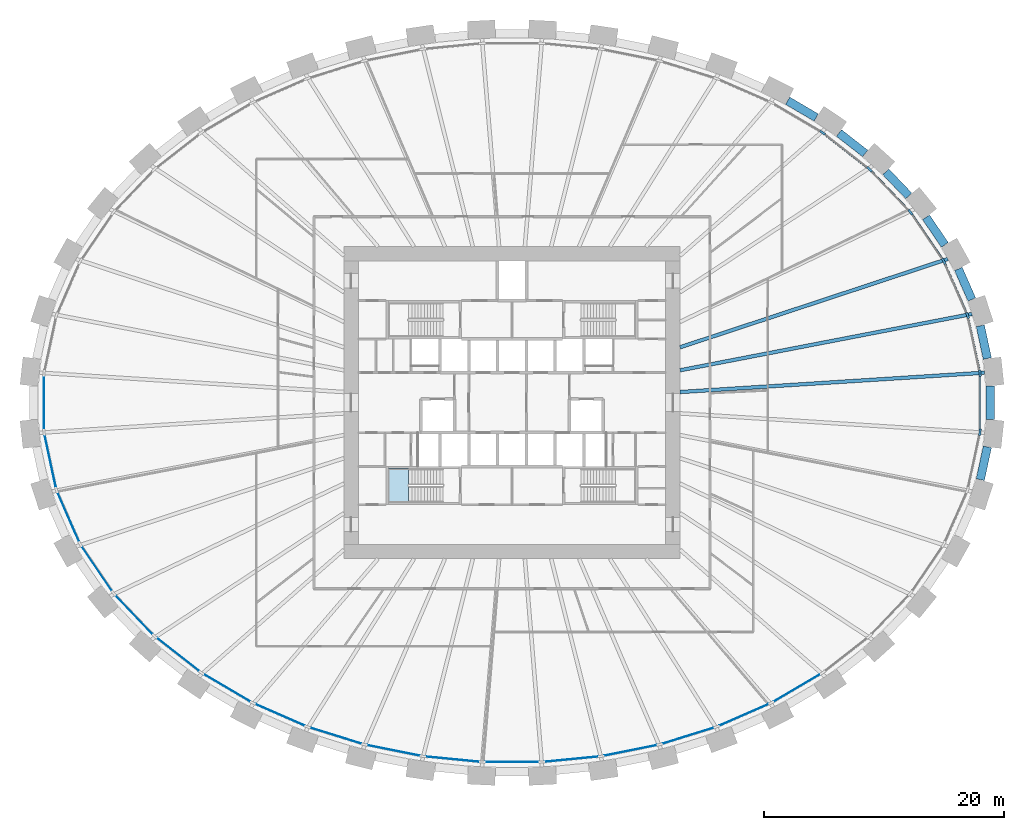
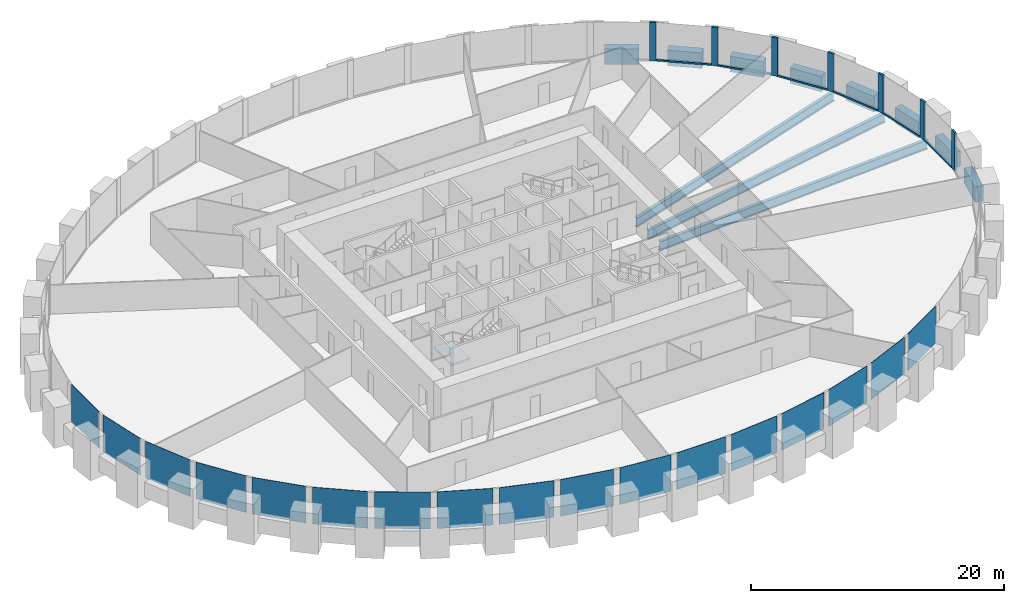
# One storey, part 4 of 11: 17 plates, 13 members, 11 beams, 1 slab, 2 elements without a shape of their own.
"""IFC4 building model written with IfcOpenShell, lengths in metres."""

from ifc_helpers import new_model, si_unit, direction, frame, origin, origin_2d, place, context, subcontext, project, spatial, polyline, rectangle, i_section, outline, extrude, source, transform, mapped, material, layer, layer_set, material_profile, profile_set, type_object, element, aggregate, save


model = new_model("IFC4")

# Units and contexts
model_context = context("Model", 3, precision=1e-05, world=origin(), true_north=direction((0.0, 1.0)))
body_context = subcontext(model_context, "Body", "Model", "MODEL_VIEW")
ifc_project = project(units=[si_unit("LENGTHUNIT", "METRE"), si_unit("AREAUNIT", "SQUARE_METRE"), si_unit("VOLUMEUNIT", "CUBIC_METRE"), si_unit("PLANEANGLEUNIT", "RADIAN"), si_unit("MASSUNIT", "GRAM", prefix="KILO")], contexts=[model_context])

# Site, building, storey
site_placement = place(None, origin())
site = spatial("IfcSite", under=ifc_project, at=site_placement, CompositionType="ELEMENT")
building_placement = place(site_placement, origin())
building = spatial("IfcBuilding", under=site, at=building_placement, Name="Embergate Tower", CompositionType="ELEMENT")
storey_placement = place(building_placement, frame((0.0, 0.0, 109.39990234375)))
storey = spatial("IfcBuildingStorey", under=building, at=storey_placement, Name="L23", CompositionType="ELEMENT", Elevation=109.39990234375)

# Beams
ifc_material_1 = material(Name="Concrete C70", Category="concrete")
ifc_material_profile_1 = material_profile(ifc_material_1, rectangle(XDim=0.699951171875, YDim=1.5, at=origin_2d()), Name="RC 700x1500")
ifc_profile_set_1 = profile_set([ifc_material_profile_1], Name="Concrete C70")
beam_type_1 = type_object("IfcBeamType", Name="Spandrel beam RC 700x1500 C70", PredefinedType="BEAM", material=ifc_profile_set_1)
shared_shape_1 = source(origin(), body_context, "Body", "SweptSolid", [
    extrude(rectangle(XDim=0.699951171875, YDim=1.5, at=origin_2d()), origin(), (0.0, 0.0, 1.0), 2.789306640625),
])
for number, where, z_axis, x_axis, name in (
    (1, (39.60693359375, 3.68310546875, 0.0), (-0.210419662527, 0.977611152566, 0.0), (-0.977611152566, -0.210419662527, 0.0), "SPN-L23-00"),
    (2, (39.02001953125, -6.409912109375, 0.0), (0.210419662527, 0.977611152566, 0.0), (-0.977611152566, 0.210419662527, 0.0), "SPN-L23-42"),
):
    element("IfcBeam", number, at=place(storey_placement, frame(where, z_axis=z_axis, x_axis=x_axis)), inside=storey, type_object=beam_type_1, Name=name, PredefinedType="BEAM", context=body_context, shape_type="MappedRepresentation", body=[
        mapped(shared_shape_1, transform((0.0, 0.0, 0.0))),
    ])
shared_shape_2 = source(origin(), body_context, "Body", "SweptSolid", [
    extrude(rectangle(XDim=0.699951171875, YDim=1.5, at=origin_2d()), origin(), (0.0, 0.0, 1.0), 2.78564453125),
])
beam_1_placement = place(storey_placement, frame((38.31201171875, 8.597900390625, 0.0), z_axis=(-0.401669232295, 0.915784815242, 0.0), x_axis=(-0.915784815242, -0.401669232295, 0.0)))
element("IfcBeam", 3, at=beam_1_placement, inside=storey, type_object=beam_type_1, Name="SPN-L23-01", PredefinedType="BEAM", context=body_context, shape_type="MappedRepresentation", body=[
    mapped(shared_shape_2, transform((0.0, 0.0, 0.0))),
])
shared_shape_3 = source(origin(), body_context, "Body", "SweptSolid", [
    extrude(rectangle(XDim=0.699951171875, YDim=1.5, at=origin_2d()), origin(), (0.0, 0.0, 1.0), 2.775634765625),
])
beam_2_placement = place(storey_placement, frame((36.06201171875, 13.152099609375, 0.0), z_axis=(-0.562430313872, 0.826844690397, 0.0), x_axis=(-0.826844690397, -0.562430313872, 0.0)))
element("IfcBeam", 4, at=beam_2_placement, inside=storey, type_object=beam_type_1, Name="SPN-L23-02", PredefinedType="BEAM", context=body_context, shape_type="MappedRepresentation", body=[
    mapped(shared_shape_3, transform((0.0, 0.0, 0.0))),
])
shared_shape_4 = source(origin(), body_context, "Body", "SweptSolid", [
    extrude(rectangle(XDim=0.699951171875, YDim=1.5, at=origin_2d()), origin(), (0.0, 0.0, 1.0), 2.770263671875),
])
beam_3_placement = place(storey_placement, frame((33.055908203125, 17.237060546875, 0.0), z_axis=(-0.690119345663, 0.723695577395, 0.0), x_axis=(-0.723695577395, -0.690119345663, 0.0)))
element("IfcBeam", 5, at=beam_3_placement, inside=storey, type_object=beam_type_1, Name="SPN-L23-03", PredefinedType="BEAM", context=body_context, shape_type="MappedRepresentation", body=[
    mapped(shared_shape_4, transform((0.0, 0.0, 0.0))),
])
shared_shape_5 = source(origin(), body_context, "Body", "SweptSolid", [
    extrude(rectangle(XDim=0.699951171875, YDim=1.5, at=origin_2d()), origin(), (0.0, 0.0, 1.0), 2.762939453125),
])
beam_4_placement = place(storey_placement, frame((29.426025390625, 20.77099609375, 0.0), z_axis=(-0.788304284462, 0.615285588242, 0.0), x_axis=(-0.615285588242, -0.788304284462, 0.0)))
element("IfcBeam", 6, at=beam_4_placement, inside=storey, type_object=beam_type_1, Name="SPN-L23-04", PredefinedType="BEAM", context=body_context, shape_type="MappedRepresentation", body=[
    mapped(shared_shape_5, transform((0.0, 0.0, 0.0))),
])
shared_shape_6 = source(origin(), body_context, "Body", "SweptSolid", [
    extrude(rectangle(XDim=0.699951171875, YDim=1.5, at=origin_2d()), origin(), (0.0, 0.0, 1.0), 2.758544921875),
])
beam_5_placement = place(storey_placement, frame((25.345947265625, 23.763916015625, 0.0), z_axis=(-0.862027482261, 0.506861539108, 0.0), x_axis=(-0.506861539108, -0.862027482261, 0.0)))
element("IfcBeam", 7, at=beam_5_placement, inside=storey, type_object=beam_type_1, Name="SPN-L23-05", PredefinedType="BEAM", context=body_context, shape_type="MappedRepresentation", body=[
    mapped(shared_shape_6, transform((0.0, 0.0, 0.0))),
])
shared_shape_7 = source(origin(), body_context, "Body", "SweptSolid", [
    extrude(rectangle(XDim=0.699951171875, YDim=1.5, at=origin_2d()), origin(), (0.0, 0.0, 1.0), 2.7919921875),
])
beam_6_placement = place(storey_placement, frame((39.85009765625, -1.39599609375, 0.0), z_axis=(0.0, 1.0, 0.0), x_axis=(-1.0, 0.0, 0.0)))
element("IfcBeam", 8, at=beam_6_placement, inside=storey, type_object=beam_type_1, Name="SPN-L23-43", PredefinedType="BEAM", context=body_context, shape_type="MappedRepresentation", body=[
    mapped(shared_shape_7, transform((0.0, 0.0, 0.0))),
])
ifc_material_2 = material(Name="Steel Q355B", Category="steel")
ifc_material_profile_2 = material_profile(ifc_material_2, i_section(OverallWidth=0.300048828125, OverallDepth=0.89990234375, WebThickness=0.01611328125, FlangeThickness=0.028076171875, FilletRadius=0.028076171875, at=origin_2d()), Name="HN 900x300x16x28")
ifc_profile_set_2 = profile_set([ifc_material_profile_2], Name="Steel Q355 grade B")
beam_type_2 = type_object("IfcBeamType", Name="Radial girder HN 900x300x16x28", PredefinedType="BEAM", material=ifc_profile_set_2)
shared_shape_8 = source(origin(), body_context, "Body", "SweptSolid", [
    extrude(i_section(OverallWidth=0.300048828125, OverallDepth=0.89990234375, WebThickness=0.01611328125, FlangeThickness=0.028076171875, FilletRadius=0.028076171875, at=origin_2d()), origin(), (0.0, 0.0, 1.0), 25.43115234375),
])
beam_7_placement = place(storey_placement, frame((39.3798828125, 2.501953125, -0.64990234375), z_axis=(-0.997986432318, -0.063427761344, 0.0), x_axis=(0.063427761344, -0.997986432318, 0.0)))
element("IfcBeam", 9, at=beam_7_placement, inside=storey, type_object=beam_type_2, Name="GIR-L23-00", PredefinedType="BEAM", context=body_context, shape_type="MappedRepresentation", body=[
    mapped(shared_shape_8, transform((0.0, 0.0, 0.0))),
])
shared_shape_9 = source(origin(), body_context, "Body", "SweptSolid", [
    extrude(i_section(OverallWidth=0.300048828125, OverallDepth=0.89990234375, WebThickness=0.01611328125, FlangeThickness=0.028076171875, FilletRadius=0.028076171875, at=origin_2d()), origin(), (0.0, 0.0, 1.0), 24.775390625),
])
beam_8_placement = place(storey_placement, frame((38.326904296875, 7.39404296875, -0.64990234375), z_axis=(-0.981895013442, -0.189425929, 0.0), x_axis=(0.189425929, -0.981895013442, 0.0)))
element("IfcBeam", 10, at=beam_8_placement, inside=storey, type_object=beam_type_2, Name="GIR-L23-01", PredefinedType="BEAM", context=body_context, shape_type="MappedRepresentation", body=[
    mapped(shared_shape_9, transform((0.0, 0.0, 0.0))),
])
shared_shape_10 = source(origin(), body_context, "Body", "SweptSolid", [
    extrude(i_section(OverallWidth=0.300048828125, OverallDepth=0.89990234375, WebThickness=0.01611328125, FlangeThickness=0.028076171875, FilletRadius=0.028076171875, at=origin_2d()), origin(), (0.0, 0.0, 1.0), 23.499267578125),
])
beam_9_placement = place(storey_placement, frame((36.31689453125, 11.97705078125, -0.64990234375), z_axis=(-0.949685213061, -0.31320599626, 0.0), x_axis=(0.31320599626, -0.949685213061, 0.0)))
element("IfcBeam", 11, at=beam_9_placement, inside=storey, type_object=beam_type_2, Name="GIR-L23-02", PredefinedType="BEAM", context=body_context, shape_type="MappedRepresentation", body=[
    mapped(shared_shape_10, transform((0.0, 0.0, 0.0))),
])

# Curtain wall, members, plates
ifc_material_3 = material(Name="Aluminium and glass", Category="aluminium")
curtain_wall_type = type_object("IfcCurtainWallType", Name="Recessed office glazing", PredefinedType="NOTDEFINED", material=ifc_material_3)
curtain_wall_placement = place(storey_placement, origin())
curtain_wall = element("IfcCurtainWall", 12, at=curtain_wall_placement, inside=storey, type_object=curtain_wall_type, Name="Recessed office glazing ring", ObjectType="RECESSED OFFICE GLAZING", PredefinedType="USERDEFINED")
ifc_material_4 = material(Name="Aluminium, thermally broken", Category="aluminium")
ifc_material_profile_3 = material_profile(ifc_material_4, rectangle(XDim=0.179931640625, YDim=0.52001953125, at=origin_2d()), Name="AL 520x180")
ifc_profile_set_3 = profile_set([ifc_material_profile_3], Name="Aluminium, thermally broken")
member_type_1 = type_object("IfcMemberType", Name="Office mullion", PredefinedType="MULLION", material=ifc_profile_set_3)
shared_shape_11 = source(origin(), body_context, "Body", "SweptSolid", [
    extrude(rectangle(XDim=0.179931640625, YDim=0.52001953125, at=origin_2d()), origin(), (0.0, 0.0, 1.0), 3.7001953125),
])
member_1_placement = place(storey_placement, frame((38.9921875, 2.4599609375, 0.0), z_axis=(0.0, 0.0, 1.0), x_axis=(-0.994385324123, -0.105819786286, 0.0)))
member_1 = element("IfcMember", 13, at=member_1_placement, type_object=member_type_1, Name="CW mullion 1", PredefinedType="MULLION", context=body_context, shape_type="MappedRepresentation", body=[
    mapped(shared_shape_11, transform((0.0, 0.0, 0.0))),
])
member_2_placement = place(storey_placement, frame((37.95654296875, 7.272705078125, 0.0), z_axis=(0.0, 0.0, 1.0), x_axis=(-0.951501556643, -0.307643930065, 0.0)))
member_2 = element("IfcMember", 14, at=member_2_placement, type_object=member_type_1, Name="CW mullion 2", PredefinedType="MULLION", context=body_context, shape_type="MappedRepresentation", body=[
    mapped(shared_shape_11, transform((0.0, 0.0, 0.0))),
])
member_3_placement = place(storey_placement, frame((35.9765625, 11.787353515625, 0.0), z_axis=(0.0, 0.0, 1.0), x_axis=(-0.875009500255, -0.484105747191, 0.0)))
member_3 = element("IfcMember", 15, at=member_3_placement, type_object=member_type_1, Name="CW mullion 3", PredefinedType="MULLION", context=body_context, shape_type="MappedRepresentation", body=[
    mapped(shared_shape_11, transform((0.0, 0.0, 0.0))),
])
member_4_placement = place(storey_placement, frame((33.19921875, 15.87109375, 0.0), z_axis=(0.0, 0.0, 1.0), x_axis=(-0.777883532271, -0.628408474022, 0.0)))
member_4 = element("IfcMember", 16, at=member_4_placement, type_object=member_type_1, Name="CW mullion 4", PredefinedType="MULLION", context=body_context, shape_type="MappedRepresentation", body=[
    mapped(shared_shape_11, transform((0.0, 0.0, 0.0))),
])
member_5_placement = place(storey_placement, frame((29.784912109375, 19.451416015625, 0.0), z_axis=(0.0, 0.0, 1.0), x_axis=(-0.671238177437, -0.741241734626, 0.0)))
member_5 = element("IfcMember", 17, at=member_5_placement, type_object=member_type_1, Name="CW mullion 5", PredefinedType="MULLION", context=body_context, shape_type="MappedRepresentation", body=[
    mapped(shared_shape_11, transform((0.0, 0.0, 0.0))),
])
member_6_placement = place(storey_placement, frame((25.87890625, 22.5, 0.0), z_axis=(0.0, 0.0, 1.0), x_axis=(-0.562227722082, -0.826982459622, 0.0)))
member_6 = element("IfcMember", 18, at=member_6_placement, type_object=member_type_1, Name="CW mullion 6", PredefinedType="MULLION", context=body_context, shape_type="MappedRepresentation", body=[
    mapped(shared_shape_11, transform((0.0, 0.0, 0.0))),
])
member_7_placement = place(storey_placement, frame((38.9921875, -2.4599609375, 0.0), z_axis=(0.0, 0.0, 1.0), x_axis=(-0.994385324123, 0.105819786286, 0.0)))
member_7 = element("IfcMember", 19, at=member_7_placement, type_object=member_type_1, Name="CW mullion 44", PredefinedType="MULLION", context=body_context, shape_type="MappedRepresentation", body=[
    mapped(shared_shape_11, transform((0.0, 0.0, 0.0))),
])
ifc_material_profile_4 = material_profile(ifc_material_4, rectangle(XDim=0.179931640625, YDim=0.14990234375, at=origin_2d()), Name="AL 150x180")
ifc_profile_set_4 = profile_set([ifc_material_profile_4], Name="Aluminium, thermally broken")
member_type_2 = type_object("IfcMemberType", Name="Office sill transom", PredefinedType="USERDEFINED", material=ifc_profile_set_4)
shared_shape_12 = source(origin(), body_context, "Body", "SweptSolid", [
    extrude(rectangle(XDim=0.179931640625, YDim=0.14990234375, at=origin_2d()), origin(), (0.0, 0.0, 1.0), 4.40283203125),
])
member_8_placement = place(storey_placement, frame((38.9375, 2.714111328125, 0.0751953125), z_axis=(-0.210384862648, 0.977618642196, 0.0), x_axis=(-0.977618642196, -0.210384862648, 0.0)))
member_8 = element("IfcMember", 20, at=member_8_placement, type_object=member_type_2, Name="CW transom 1.1", ObjectType="TRANSOM", PredefinedType="USERDEFINED", context=body_context, shape_type="MappedRepresentation", body=[
    mapped(shared_shape_12, transform((0.0, 0.0, 0.0))),
])
shared_shape_13 = source(origin(), body_context, "Body", "SweptSolid", [
    extrude(rectangle(XDim=0.179931640625, YDim=0.14990234375, at=origin_2d()), origin(), (0.0, 0.0, 1.0), 4.409912109375),
])
member_9_placement = place(storey_placement, frame((37.85205078125, 7.5107421875, 0.0751953125), z_axis=(-0.401649276601, 0.915793567681, 0.0), x_axis=(-0.915793567681, -0.401649276601, 0.0)))
member_9 = element("IfcMember", 21, at=member_9_placement, type_object=member_type_2, Name="CW transom 2.1", ObjectType="TRANSOM", PredefinedType="USERDEFINED", context=body_context, shape_type="MappedRepresentation", body=[
    mapped(shared_shape_13, transform((0.0, 0.0, 0.0))),
])
shared_shape_14 = source(origin(), body_context, "Body", "SweptSolid", [
    extrude(rectangle(XDim=0.179931640625, YDim=0.14990234375, at=origin_2d()), origin(), (0.0, 0.0, 1.0), 4.41845703125),
])
member_10_placement = place(storey_placement, frame((35.830078125, 12.002197265625, 0.0751953125), z_axis=(-0.562314555327, 0.826923418986, 0.0), x_axis=(-0.826923418986, -0.562314555327, 0.0)))
member_10 = element("IfcMember", 22, at=member_10_placement, type_object=member_type_2, Name="CW transom 3.1", ObjectType="TRANSOM", PredefinedType="USERDEFINED", context=body_context, shape_type="MappedRepresentation", body=[
    mapped(shared_shape_14, transform((0.0, 0.0, 0.0))),
])
shared_shape_15 = source(origin(), body_context, "Body", "SweptSolid", [
    extrude(rectangle(XDim=0.179931640625, YDim=0.14990234375, at=origin_2d()), origin(), (0.0, 0.0, 1.0), 4.42724609375),
])
member_11_placement = place(storey_placement, frame((33.019775390625, 16.059326171875, 0.0751953125), z_axis=(-0.690143848167, 0.723672210906, 0.0), x_axis=(-0.723672210906, -0.690143848167, 0.0)))
member_11 = element("IfcMember", 23, at=member_11_placement, type_object=member_type_2, Name="CW transom 4.1", ObjectType="TRANSOM", PredefinedType="USERDEFINED", context=body_context, shape_type="MappedRepresentation", body=[
    mapped(shared_shape_15, transform((0.0, 0.0, 0.0))),
])
shared_shape_16 = source(origin(), body_context, "Body", "SweptSolid", [
    extrude(rectangle(XDim=0.179931640625, YDim=0.14990234375, at=origin_2d()), origin(), (0.0, 0.0, 1.0), 4.434814453125),
])
member_12_placement = place(storey_placement, frame((29.580078125, 19.611572265625, 0.0751953125), z_axis=(-0.788331413259, 0.615250829231, 0.0), x_axis=(-0.615250829231, -0.788331413259, 0.0)))
member_12 = element("IfcMember", 24, at=member_12_placement, type_object=member_type_2, Name="CW transom 5.1", ObjectType="TRANSOM", PredefinedType="USERDEFINED", context=body_context, shape_type="MappedRepresentation", body=[
    mapped(shared_shape_16, transform((0.0, 0.0, 0.0))),
])
shared_shape_17 = source(origin(), body_context, "Body", "SweptSolid", [
    extrude(rectangle(XDim=0.179931640625, YDim=0.14990234375, at=origin_2d()), origin(), (0.0, 0.0, 1.0), 4.39990234375),
])
member_13_placement = place(storey_placement, frame((38.9921875, -2.199951171875, 0.0751953125), z_axis=(0.0, 1.0, 0.0), x_axis=(-1.0, 0.0, 0.0)))
member_13 = element("IfcMember", 25, at=member_13_placement, type_object=member_type_2, Name="CW transom 44.1", ObjectType="TRANSOM", PredefinedType="USERDEFINED", context=body_context, shape_type="MappedRepresentation", body=[
    mapped(shared_shape_17, transform((0.0, 0.0, 0.0))),
])
ifc_material_5 = material(Name="Triple glazing, low-emissivity coating", Category="glass")
ifc_layer_1 = layer(ifc_material_5, 0.035888671875)
ifc_layer_set_1 = layer_set([ifc_layer_1], Name="Triple glazing, low-emissivity coating")
plate_type = type_object("IfcPlateType", Name="Office glazing unit", PredefinedType="CURTAIN_PANEL", material=ifc_layer_set_1)
shared_shape_18 = source(origin(), body_context, "Body", "SweptSolid", [
    extrude(rectangle(XDim=4.40283203125, YDim=0.035888671875, at=origin_2d()), origin(), (0.0, 0.0, 1.0), 3.550048828125),
])
plate_1_placement = place(storey_placement, frame((-38.474365234375, -4.8662109375, 0.14990234375), z_axis=(0.0, 0.0, 1.0), x_axis=(0.210391566126, -0.977617199574, 0.0)))
plate_1 = element("IfcPlate", 26, at=plate_1_placement, type_object=plate_type, Name="CW panel 23.1", PredefinedType="CURTAIN_PANEL", context=body_context, shape_type="MappedRepresentation", body=[
    mapped(shared_shape_18, transform((0.0, 0.0, 0.0))),
])
shared_shape_19 = source(origin(), body_context, "Body", "SweptSolid", [
    extrude(rectangle(XDim=4.409912109375, YDim=0.035888671875, at=origin_2d()), origin(), (0.0, 0.0, 1.0), 3.550048828125),
])
plate_2_placement = place(storey_placement, frame((-36.966552734375, -9.52978515625, 0.14990234375), z_axis=(0.0, 0.0, 1.0), x_axis=(0.401644109346, -0.915795833921, 0.0)))
plate_2 = element("IfcPlate", 27, at=plate_2_placement, type_object=plate_type, Name="CW panel 24.1", PredefinedType="CURTAIN_PANEL", context=body_context, shape_type="MappedRepresentation", body=[
    mapped(shared_shape_19, transform((0.0, 0.0, 0.0))),
])
shared_shape_20 = source(origin(), body_context, "Body", "SweptSolid", [
    extrude(rectangle(XDim=4.418701171875, YDim=0.035888671875, at=origin_2d()), origin(), (0.0, 0.0, 1.0), 3.550048828125),
])
plate_3_placement = place(storey_placement, frame((-34.587890625, -13.8291015625, 0.14990234375), z_axis=(0.0, 0.0, 1.0), x_axis=(0.562331639324, -0.826911801473, 0.0)))
plate_3 = element("IfcPlate", 28, at=plate_3_placement, type_object=plate_type, Name="CW panel 25.1", PredefinedType="CURTAIN_PANEL", context=body_context, shape_type="MappedRepresentation", body=[
    mapped(shared_shape_20, transform((0.0, 0.0, 0.0))),
])
shared_shape_21 = source(origin(), body_context, "Body", "SweptSolid", [
    extrude(rectangle(XDim=4.427490234375, YDim=0.035888671875, at=origin_2d()), origin(), (0.0, 0.0, 1.0), 3.550048828125),
])
plate_4_placement = place(storey_placement, frame((-31.4921875, -17.661376953125, 0.14990234375), z_axis=(0.0, 0.0, 1.0), x_axis=(0.690124942972, -0.723690239735, 0.0)))
plate_4 = element("IfcPlate", 29, at=plate_4_placement, type_object=plate_type, Name="CW panel 26.1", PredefinedType="CURTAIN_PANEL", context=body_context, shape_type="MappedRepresentation", body=[
    mapped(shared_shape_21, transform((0.0, 0.0, 0.0))),
])
shared_shape_22 = source(origin(), body_context, "Body", "SweptSolid", [
    extrude(rectangle(XDim=4.434814453125, YDim=0.035888671875, at=origin_2d()), origin(), (0.0, 0.0, 1.0), 3.550048828125),
])
plate_5_placement = place(storey_placement, frame((-27.831787109375, -20.975830078125, 0.14990234375), z_axis=(0.0, 0.0, 1.0), x_axis=(0.788312602312, -0.615274931259, 0.0)))
plate_5 = element("IfcPlate", 30, at=plate_5_placement, type_object=plate_type, Name="CW panel 27.1", PredefinedType="CURTAIN_PANEL", context=body_context, shape_type="MappedRepresentation", body=[
    mapped(shared_shape_22, transform((0.0, 0.0, 0.0))),
])
shared_shape_23 = source(origin(), body_context, "Body", "SweptSolid", [
    extrude(rectangle(XDim=4.44091796875, YDim=0.035888671875, at=origin_2d()), origin(), (0.0, 0.0, 1.0), 3.550048828125),
])
plate_6_placement = place(storey_placement, frame((-23.740478515625, -23.75732421875, 0.14990234375), z_axis=(0.0, 0.0, 1.0), x_axis=(0.86204786038, -0.506826880122, 0.0)))
plate_6 = element("IfcPlate", 31, at=plate_6_placement, type_object=plate_type, Name="CW panel 28.1", PredefinedType="CURTAIN_PANEL", context=body_context, shape_type="MappedRepresentation", body=[
    mapped(shared_shape_23, transform((0.0, 0.0, 0.0))),
])
plate_7_placement = place(storey_placement, frame((23.740478515625, -23.75732421875, 0.14990234375), z_axis=(0.0, 0.0, 1.0), x_axis=(0.86204786038, 0.506826880122, 0.0)))
plate_7 = element("IfcPlate", 32, at=plate_7_placement, type_object=plate_type, Name="CW panel 38.1", PredefinedType="CURTAIN_PANEL", context=body_context, shape_type="MappedRepresentation", body=[
    mapped(shared_shape_23, transform((0.0, 0.0, 0.0))),
])
shared_shape_24 = source(origin(), body_context, "Body", "SweptSolid", [
    extrude(rectangle(XDim=4.445556640625, YDim=0.035888671875, at=origin_2d()), origin(), (0.0, 0.0, 1.0), 3.550048828125),
])
plate_8_placement = place(storey_placement, frame((-19.32763671875, -26.00927734375, 0.14990234375), z_axis=(0.0, 0.0, 1.0), x_axis=(0.916232715476, -0.400646491426, 0.0)))
plate_8 = element("IfcPlate", 33, at=plate_8_placement, type_object=plate_type, Name="CW panel 29.1", PredefinedType="CURTAIN_PANEL", context=body_context, shape_type="MappedRepresentation", body=[
    mapped(shared_shape_24, transform((0.0, 0.0, 0.0))),
])
plate_9_placement = place(storey_placement, frame((19.32763671875, -26.00927734375, 0.14990234375), z_axis=(0.0, 0.0, 1.0), x_axis=(0.916232715476, 0.400646491426, 0.0)))
plate_9 = element("IfcPlate", 34, at=plate_9_placement, type_object=plate_type, Name="CW panel 37.1", PredefinedType="CURTAIN_PANEL", context=body_context, shape_type="MappedRepresentation", body=[
    mapped(shared_shape_24, transform((0.0, 0.0, 0.0))),
])
shared_shape_25 = source(origin(), body_context, "Body", "SweptSolid", [
    extrude(rectangle(XDim=4.44873046875, YDim=0.035888671875, at=origin_2d()), origin(), (0.0, 0.0, 1.0), 3.550048828125),
])
plate_10_placement = place(storey_placement, frame((-14.680908203125, -27.74267578125, 0.14990234375), z_axis=(0.0, 0.0, 1.0), x_axis=(0.954770141339, -0.297344879236, 0.0)))
plate_10 = element("IfcPlate", 35, at=plate_10_placement, type_object=plate_type, Name="CW panel 30.1", PredefinedType="CURTAIN_PANEL", context=body_context, shape_type="MappedRepresentation", body=[
    mapped(shared_shape_25, transform((0.0, 0.0, 0.0))),
])
plate_11_placement = place(storey_placement, frame((14.680908203125, -27.74267578125, 0.14990234375), z_axis=(0.0, 0.0, 1.0), x_axis=(0.954770141339, 0.297344879236, 0.0)))
plate_11 = element("IfcPlate", 36, at=plate_11_placement, type_object=plate_type, Name="CW panel 36.1", PredefinedType="CURTAIN_PANEL", context=body_context, shape_type="MappedRepresentation", body=[
    mapped(shared_shape_25, transform((0.0, 0.0, 0.0))),
])
shared_shape_26 = source(origin(), body_context, "Body", "SweptSolid", [
    extrude(rectangle(XDim=4.450927734375, YDim=0.035888671875, at=origin_2d()), origin(), (0.0, 0.0, 1.0), 3.550048828125),
])
plate_12_placement = place(storey_placement, frame((-9.871826171875, -28.97021484375, 0.14990234375), z_axis=(0.0, 0.0, 1.0), x_axis=(0.980474877795, -0.196644384646, 0.0)))
plate_12 = element("IfcPlate", 37, at=plate_12_placement, type_object=plate_type, Name="CW panel 31.1", PredefinedType="CURTAIN_PANEL", context=body_context, shape_type="MappedRepresentation", body=[
    mapped(shared_shape_26, transform((0.0, 0.0, 0.0))),
])
plate_13_placement = place(storey_placement, frame((9.871826171875, -28.97021484375, 0.14990234375), z_axis=(0.0, 0.0, 1.0), x_axis=(0.980474877795, 0.196644384646, 0.0)))
plate_13 = element("IfcPlate", 38, at=plate_13_placement, type_object=plate_type, Name="CW panel 35.1", PredefinedType="CURTAIN_PANEL", context=body_context, shape_type="MappedRepresentation", body=[
    mapped(shared_shape_26, transform((0.0, 0.0, 0.0))),
])
shared_shape_27 = source(origin(), body_context, "Body", "SweptSolid", [
    extrude(rectangle(XDim=4.452392578125, YDim=0.035888671875, at=origin_2d()), origin(), (0.0, 0.0, 1.0), 3.550048828125),
])
plate_14_placement = place(storey_placement, frame((-4.960693359375, -29.7021484375, 0.14990234375), z_axis=(0.0, 0.0, 1.0), x_axis=(0.995203014042, -0.097831287645, 0.0)))
plate_14 = element("IfcPlate", 39, at=plate_14_placement, type_object=plate_type, Name="CW panel 32.1", PredefinedType="CURTAIN_PANEL", context=body_context, shape_type="MappedRepresentation", body=[
    mapped(shared_shape_27, transform((0.0, 0.0, 0.0))),
])
plate_15_placement = place(storey_placement, frame((4.960693359375, -29.7021484375, 0.14990234375), z_axis=(0.0, 0.0, 1.0), x_axis=(0.995203014042, 0.097831287645, 0.0)))
plate_15 = element("IfcPlate", 40, at=plate_15_placement, type_object=plate_type, Name="CW panel 34.1", PredefinedType="CURTAIN_PANEL", context=body_context, shape_type="MappedRepresentation", body=[
    mapped(shared_shape_27, transform((0.0, 0.0, 0.0))),
])
shared_shape_28 = source(origin(), body_context, "Body", "SweptSolid", [
    extrude(rectangle(XDim=4.45263671875, YDim=0.035888671875, at=origin_2d()), origin(), (0.0, 0.0, 1.0), 3.550048828125),
])
plate_16_placement = place(storey_placement, frame((0.0, -29.9453125, 0.14990234375), z_axis=(0.0, 0.0, 1.0), x_axis=(1.0, 0.0, 0.0)))
plate_16 = element("IfcPlate", 41, at=plate_16_placement, type_object=plate_type, Name="CW panel 33.1", PredefinedType="CURTAIN_PANEL", context=body_context, shape_type="MappedRepresentation", body=[
    mapped(shared_shape_28, transform((0.0, 0.0, 0.0))),
])
shared_shape_29 = source(origin(), body_context, "Body", "SweptSolid", [
    extrude(rectangle(XDim=4.39990234375, YDim=0.035888671875, at=origin_2d()), origin(), (0.0, 0.0, 1.0), 3.550048828125),
])
plate_17_placement = place(storey_placement, frame((-38.9921875, 0.0, 0.14990234375), z_axis=(0.0, 0.0, 1.0), x_axis=(0.0, -1.0, 0.0)))
plate_17 = element("IfcPlate", 42, at=plate_17_placement, type_object=plate_type, Name="CW panel 22.1", PredefinedType="CURTAIN_PANEL", context=body_context, shape_type="MappedRepresentation", body=[
    mapped(shared_shape_29, transform((0.0, 0.0, 0.0))),
])
aggregate(curtain_wall, [member_1, member_2, member_3, member_4, member_5, member_6, member_7, member_8, member_9, member_10, member_11, member_12, plate_17, plate_1, plate_2, plate_3, plate_4, plate_5, plate_6, plate_8, plate_10, plate_12, plate_14, plate_16, plate_15, plate_13, plate_11, plate_9, plate_7, member_13])

# Stair, slab
ifc_material_6 = material(Name="Exit stair")
stair_type = type_object("IfcStairType", Name="Exit stair", PredefinedType="HALF_TURN_STAIR", material=ifc_material_6)
stair_placement = place(storey_placement, origin())
stair = element("IfcStair", 43, at=stair_placement, inside=storey, type_object=stair_type, Name="L23 Exit stair 3", PredefinedType="HALF_TURN_STAIR")
ifc_material_7 = material(Name="Concrete C40", Category="concrete")
ifc_layer_2 = layer(ifc_material_7, 0.199951171875)
ifc_layer_set_2 = layer_set([ifc_layer_2], Name="Concrete C40")
slab_type = type_object("IfcSlabType", Name="Stair landing reinforced concrete", PredefinedType="LANDING", material=ifc_layer_set_2)
shared_shape_30 = source(origin(), body_context, "Body", "SweptSolid", [
    extrude(outline(polyline([(0.0, 0.0), (1.68994140625, 0.0), (1.68994140625, 2.800048828125), (0.0, 2.800048828125), (0.0, 0.0)])), origin(), (0.0, 0.0, 1.0), 0.2001953125),
])
slab_placement = place(storey_placement, frame((-10.300048828125, -8.300048828125, 1.75)))
slab = element("IfcSlab", 44, at=slab_placement, type_object=slab_type, Name="ST3 landing 1", PredefinedType="LANDING", context=body_context, shape_type="MappedRepresentation", body=[
    mapped(shared_shape_30, transform((0.0, 0.0, 0.0))),
])
aggregate(stair, [slab])

save(model, "model.ifc")
